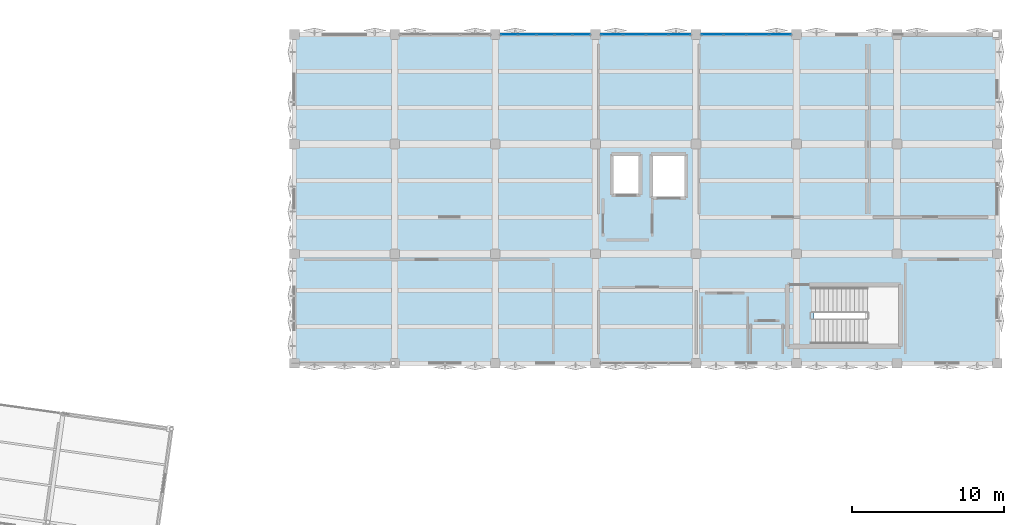
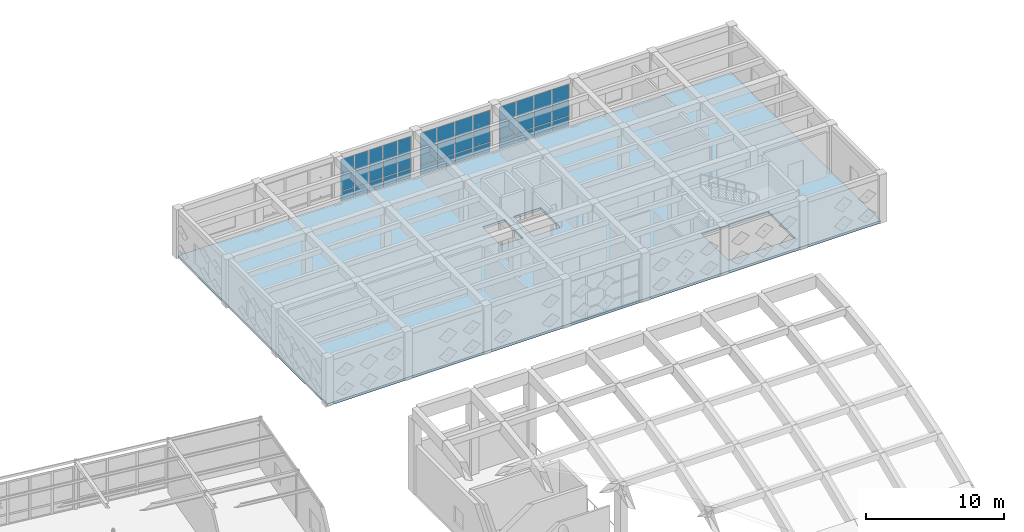
# One storey, part 47 of 67: 39 plates, 1 slab, 3 elements without a shape of their own.
"""IFC4 building model written with IfcOpenShell, lengths in metres."""

from ifc_helpers import new_model, si_unit, direction, frame, origin, origin_2d, place, context, subcontext, project, spatial, polyline, rectangle, outline, extrude, material, layer, layer_set, type_object, element, aggregate, save


model = new_model("IFC4")

# Units and contexts
model_context = context("Model", 3, precision=1e-05, world=origin(), true_north=direction((0.0, 1.0)))
body_context = subcontext(model_context, "Body", "Model", "MODEL_VIEW")
ifc_project = project(units=[si_unit("LENGTHUNIT", "METRE"), si_unit("AREAUNIT", "SQUARE_METRE"), si_unit("VOLUMEUNIT", "CUBIC_METRE"), si_unit("PLANEANGLEUNIT", "RADIAN"), si_unit("MASSUNIT", "GRAM", prefix="KILO")], contexts=[model_context])

# Site, building, storey
site_placement = place(None, origin())
site = spatial("IfcSite", under=ifc_project, at=site_placement, CompositionType="ELEMENT")
building_placement = place(site_placement, origin())
building = spatial("IfcBuilding", under=site, at=building_placement, Name="Kharisveld Research Institute", CompositionType="ELEMENT")
storey_placement = place(building_placement, frame((0.0, 0.0, 9.60009765625)))
storey = spatial("IfcBuildingStorey", under=building, at=storey_placement, Name="L02", CompositionType="ELEMENT", Elevation=9.60009765625)

# Curtain wall, plates
ifc_material_1 = material(Name="Thermally Broken Aluminium Curtain Wall", Category="aluminium")
ifc_layer_1 = layer(ifc_material_1, 0.159912109375)
ifc_layer_set_1 = layer_set([ifc_layer_1], Name="CW_SYS_01")
curtain_wall_type_1 = type_object("IfcCurtainWallType", Name="CW_SYS_01", PredefinedType="NOTDEFINED", material=ifc_layer_set_1)
curtain_wall_1_placement = place(storey_placement, origin())
curtain_wall_1 = element("IfcCurtainWall", 1, at=curtain_wall_1_placement, inside=storey, type_object=curtain_wall_type_1, Name="CW:V2:L02:N2", PredefinedType="NOTDEFINED")
ifc_material_2 = material(Name="Low-E Double Glazing", Category="glass")
ifc_layer_2 = layer(ifc_material_2, 0.028076171875)
ifc_layer_set_2 = layer_set([ifc_layer_2], Name="CW_PNL_GLZ")
plate_type = type_object("IfcPlateType", Name="CW_PNL_GLZ", PredefinedType="CURTAIN_PANEL", material=ifc_layer_set_2)
plate_1_placement = place(storey_placement, frame((128.732177734375, 60.800048828125, 0.059814453125), z_axis=(0.0, 0.0, 1.0), x_axis=(1.0, 0.0, 0.0)))
plate_1 = element("IfcPlate", 2, at=plate_1_placement, type_object=plate_type, Name="CW-01 panel 1.1", PredefinedType="CURTAIN_PANEL", context=body_context, shape_type="SweptSolid", body=[
    extrude(rectangle(XDim=1.094482421875, YDim=0.028076171875, at=origin_2d()), origin(), (0.0, 0.0, 1.0), 0.81005859375),
])
plate_2_placement = place(storey_placement, frame((128.732177734375, 60.800048828125, 0.93017578125), z_axis=(0.0, 0.0, 1.0), x_axis=(1.0, 0.0, 0.0)))
plate_2 = element("IfcPlate", 3, at=plate_2_placement, type_object=plate_type, Name="CW-01 panel 1.2", PredefinedType="CURTAIN_PANEL", context=body_context, shape_type="SweptSolid", body=[
    extrude(rectangle(XDim=1.094482421875, YDim=0.028076171875, at=origin_2d()), origin(), (0.0, 0.0, 1.0), 1.389892578125),
])
plate_3_placement = place(storey_placement, frame((128.732177734375, 60.800048828125, 2.3798828125), z_axis=(0.0, 0.0, 1.0), x_axis=(1.0, 0.0, 0.0)))
plate_3 = element("IfcPlate", 4, at=plate_3_placement, type_object=plate_type, Name="CW-01 panel 1.3", PredefinedType="CURTAIN_PANEL", context=body_context, shape_type="SweptSolid", body=[
    extrude(rectangle(XDim=1.094482421875, YDim=0.028076171875, at=origin_2d()), origin(), (0.0, 0.0, 1.0), 1.340087890625),
])
plate_4_placement = place(storey_placement, frame((129.907958984375, 60.800048828125, 0.059814453125), z_axis=(0.0, 0.0, 1.0), x_axis=(1.0, 0.0, 0.0)))
plate_4 = element("IfcPlate", 5, at=plate_4_placement, type_object=plate_type, Name="CW-01 panel 2.1", PredefinedType="CURTAIN_PANEL", context=body_context, shape_type="SweptSolid", body=[
    extrude(rectangle(XDim=1.126953125, YDim=0.028076171875, at=origin_2d()), origin(), (0.0, 0.0, 1.0), 0.81005859375),
])
plate_5_placement = place(storey_placement, frame((129.907958984375, 60.800048828125, 0.93017578125), z_axis=(0.0, 0.0, 1.0), x_axis=(1.0, 0.0, 0.0)))
plate_5 = element("IfcPlate", 6, at=plate_5_placement, type_object=plate_type, Name="CW-01 panel 2.2", PredefinedType="CURTAIN_PANEL", context=body_context, shape_type="SweptSolid", body=[
    extrude(rectangle(XDim=1.126953125, YDim=0.028076171875, at=origin_2d()), origin(), (0.0, 0.0, 1.0), 1.389892578125),
])
plate_6_placement = place(storey_placement, frame((129.907958984375, 60.800048828125, 2.3798828125), z_axis=(0.0, 0.0, 1.0), x_axis=(1.0, 0.0, 0.0)))
plate_6 = element("IfcPlate", 7, at=plate_6_placement, type_object=plate_type, Name="CW-01 panel 2.3", PredefinedType="CURTAIN_PANEL", context=body_context, shape_type="SweptSolid", body=[
    extrude(rectangle(XDim=1.126953125, YDim=0.028076171875, at=origin_2d()), origin(), (0.0, 0.0, 1.0), 1.340087890625),
])
plate_7_placement = place(storey_placement, frame((131.10009765625, 60.800048828125, 0.059814453125), z_axis=(0.0, 0.0, 1.0), x_axis=(1.0, 0.0, 0.0)))
plate_7 = element("IfcPlate", 8, at=plate_7_placement, type_object=plate_type, Name="CW-01 panel 3.1", PredefinedType="CURTAIN_PANEL", context=body_context, shape_type="SweptSolid", body=[
    extrude(rectangle(XDim=1.126953125, YDim=0.028076171875, at=origin_2d()), origin(), (0.0, 0.0, 1.0), 0.81005859375),
])
plate_8_placement = place(storey_placement, frame((131.10009765625, 60.800048828125, 0.93017578125), z_axis=(0.0, 0.0, 1.0), x_axis=(1.0, 0.0, 0.0)))
plate_8 = element("IfcPlate", 9, at=plate_8_placement, type_object=plate_type, Name="CW-01 panel 3.2", PredefinedType="CURTAIN_PANEL", context=body_context, shape_type="SweptSolid", body=[
    extrude(rectangle(XDim=1.126953125, YDim=0.028076171875, at=origin_2d()), origin(), (0.0, 0.0, 1.0), 1.389892578125),
])
plate_9_placement = place(storey_placement, frame((131.10009765625, 60.800048828125, 2.3798828125), z_axis=(0.0, 0.0, 1.0), x_axis=(1.0, 0.0, 0.0)))
plate_9 = element("IfcPlate", 10, at=plate_9_placement, type_object=plate_type, Name="CW-01 panel 3.3", PredefinedType="CURTAIN_PANEL", context=body_context, shape_type="SweptSolid", body=[
    extrude(rectangle(XDim=1.126953125, YDim=0.028076171875, at=origin_2d()), origin(), (0.0, 0.0, 1.0), 1.340087890625),
])
plate_10_placement = place(storey_placement, frame((132.2919921875, 60.800048828125, 0.059814453125), z_axis=(0.0, 0.0, 1.0), x_axis=(1.0, 0.0, 0.0)))
plate_10 = element("IfcPlate", 11, at=plate_10_placement, type_object=plate_type, Name="CW-01 panel 4.1", PredefinedType="CURTAIN_PANEL", context=body_context, shape_type="SweptSolid", body=[
    extrude(rectangle(XDim=1.126953125, YDim=0.028076171875, at=origin_2d()), origin(), (0.0, 0.0, 1.0), 0.81005859375),
])
plate_11_placement = place(storey_placement, frame((132.2919921875, 60.800048828125, 0.93017578125), z_axis=(0.0, 0.0, 1.0), x_axis=(1.0, 0.0, 0.0)))
plate_11 = element("IfcPlate", 12, at=plate_11_placement, type_object=plate_type, Name="CW-01 panel 4.2", PredefinedType="CURTAIN_PANEL", context=body_context, shape_type="SweptSolid", body=[
    extrude(rectangle(XDim=1.126953125, YDim=0.028076171875, at=origin_2d()), origin(), (0.0, 0.0, 1.0), 1.389892578125),
])
plate_12_placement = place(storey_placement, frame((132.2919921875, 60.800048828125, 2.3798828125), z_axis=(0.0, 0.0, 1.0), x_axis=(1.0, 0.0, 0.0)))
plate_12 = element("IfcPlate", 13, at=plate_12_placement, type_object=plate_type, Name="CW-01 panel 4.3", PredefinedType="CURTAIN_PANEL", context=body_context, shape_type="SweptSolid", body=[
    extrude(rectangle(XDim=1.126953125, YDim=0.028076171875, at=origin_2d()), origin(), (0.0, 0.0, 1.0), 1.340087890625),
])
plate_13_placement = place(storey_placement, frame((133.4677734375, 60.800048828125, 0.059814453125), z_axis=(0.0, 0.0, 1.0), x_axis=(1.0, 0.0, 0.0)))
plate_13 = element("IfcPlate", 14, at=plate_13_placement, type_object=plate_type, Name="CW-01 panel 5.1", PredefinedType="CURTAIN_PANEL", context=body_context, shape_type="SweptSolid", body=[
    extrude(rectangle(XDim=1.094482421875, YDim=0.028076171875, at=origin_2d()), origin(), (0.0, 0.0, 1.0), 0.81005859375),
])
plate_14_placement = place(storey_placement, frame((133.4677734375, 60.800048828125, 0.93017578125), z_axis=(0.0, 0.0, 1.0), x_axis=(1.0, 0.0, 0.0)))
plate_14 = element("IfcPlate", 15, at=plate_14_placement, type_object=plate_type, Name="CW-01 panel 5.2", PredefinedType="CURTAIN_PANEL", context=body_context, shape_type="SweptSolid", body=[
    extrude(rectangle(XDim=1.094482421875, YDim=0.028076171875, at=origin_2d()), origin(), (0.0, 0.0, 1.0), 1.389892578125),
])
plate_15_placement = place(storey_placement, frame((133.4677734375, 60.800048828125, 2.3798828125), z_axis=(0.0, 0.0, 1.0), x_axis=(1.0, 0.0, 0.0)))
plate_15 = element("IfcPlate", 16, at=plate_15_placement, type_object=plate_type, Name="CW-01 panel 5.3", PredefinedType="CURTAIN_PANEL", context=body_context, shape_type="SweptSolid", body=[
    extrude(rectangle(XDim=1.094482421875, YDim=0.028076171875, at=origin_2d()), origin(), (0.0, 0.0, 1.0), 1.340087890625),
])
aggregate(curtain_wall_1, [plate_1, plate_2, plate_3, plate_4, plate_5, plate_6, plate_7, plate_8, plate_9, plate_10, plate_11, plate_12, plate_13, plate_14, plate_15])

ifc_material_3 = material(Name="Thermally Broken Aluminium Curtain Wall", Category="aluminium")
ifc_layer_3 = layer(ifc_material_3, 0.159912109375)
ifc_layer_set_3 = layer_set([ifc_layer_3], Name="CW_SYS_02")
curtain_wall_type_2 = type_object("IfcCurtainWallType", Name="CW_SYS_02", PredefinedType="NOTDEFINED", material=ifc_layer_set_3)
curtain_wall_2_placement = place(storey_placement, origin())
curtain_wall_2 = element("IfcCurtainWall", 17, at=curtain_wall_2_placement, inside=storey, type_object=curtain_wall_type_2, Name="CW:V2:L02:N3", PredefinedType="NOTDEFINED")
plate_16_placement = place(storey_placement, frame((135.481201171875, 60.800048828125, 0.059814453125), z_axis=(0.0, 0.0, 1.0), x_axis=(1.0, 0.0, 0.0)))
plate_16 = element("IfcPlate", 18, at=plate_16_placement, type_object=plate_type, Name="CW-02 panel 1.1", PredefinedType="CURTAIN_PANEL", context=body_context, shape_type="SweptSolid", body=[
    extrude(rectangle(XDim=1.392578125, YDim=0.028076171875, at=origin_2d()), origin(), (0.0, 0.0, 1.0), 0.81005859375),
])
plate_17_placement = place(storey_placement, frame((135.481201171875, 60.800048828125, 0.93017578125), z_axis=(0.0, 0.0, 1.0), x_axis=(1.0, 0.0, 0.0)))
plate_17 = element("IfcPlate", 19, at=plate_17_placement, type_object=plate_type, Name="CW-02 panel 1.2", PredefinedType="CURTAIN_PANEL", context=body_context, shape_type="SweptSolid", body=[
    extrude(rectangle(XDim=1.392578125, YDim=0.028076171875, at=origin_2d()), origin(), (0.0, 0.0, 1.0), 1.389892578125),
])
plate_18_placement = place(storey_placement, frame((135.481201171875, 60.800048828125, 2.3798828125), z_axis=(0.0, 0.0, 1.0), x_axis=(1.0, 0.0, 0.0)))
plate_18 = element("IfcPlate", 20, at=plate_18_placement, type_object=plate_type, Name="CW-02 panel 1.3", PredefinedType="CURTAIN_PANEL", context=body_context, shape_type="SweptSolid", body=[
    extrude(rectangle(XDim=1.392578125, YDim=0.028076171875, at=origin_2d()), origin(), (0.0, 0.0, 1.0), 1.340087890625),
])
plate_19_placement = place(storey_placement, frame((136.955078125, 60.800048828125, 0.059814453125), z_axis=(0.0, 0.0, 1.0), x_axis=(1.0, 0.0, 0.0)))
plate_19 = element("IfcPlate", 21, at=plate_19_placement, type_object=plate_type, Name="CW-02 panel 2.1", PredefinedType="CURTAIN_PANEL", context=body_context, shape_type="SweptSolid", body=[
    extrude(rectangle(XDim=1.425048828125, YDim=0.028076171875, at=origin_2d()), origin(), (0.0, 0.0, 1.0), 0.81005859375),
])
plate_20_placement = place(storey_placement, frame((136.955078125, 60.800048828125, 0.93017578125), z_axis=(0.0, 0.0, 1.0), x_axis=(1.0, 0.0, 0.0)))
plate_20 = element("IfcPlate", 22, at=plate_20_placement, type_object=plate_type, Name="CW-02 panel 2.2", PredefinedType="CURTAIN_PANEL", context=body_context, shape_type="SweptSolid", body=[
    extrude(rectangle(XDim=1.425048828125, YDim=0.028076171875, at=origin_2d()), origin(), (0.0, 0.0, 1.0), 1.389892578125),
])
plate_21_placement = place(storey_placement, frame((136.955078125, 60.800048828125, 2.3798828125), z_axis=(0.0, 0.0, 1.0), x_axis=(1.0, 0.0, 0.0)))
plate_21 = element("IfcPlate", 23, at=plate_21_placement, type_object=plate_type, Name="CW-02 panel 2.3", PredefinedType="CURTAIN_PANEL", context=body_context, shape_type="SweptSolid", body=[
    extrude(rectangle(XDim=1.425048828125, YDim=0.028076171875, at=origin_2d()), origin(), (0.0, 0.0, 1.0), 1.340087890625),
])
plate_22_placement = place(storey_placement, frame((138.445068359375, 60.800048828125, 0.059814453125), z_axis=(0.0, 0.0, 1.0), x_axis=(1.0, 0.0, 0.0)))
plate_22 = element("IfcPlate", 24, at=plate_22_placement, type_object=plate_type, Name="CW-02 panel 3.1", PredefinedType="CURTAIN_PANEL", context=body_context, shape_type="SweptSolid", body=[
    extrude(rectangle(XDim=1.425048828125, YDim=0.028076171875, at=origin_2d()), origin(), (0.0, 0.0, 1.0), 0.81005859375),
])
plate_23_placement = place(storey_placement, frame((138.445068359375, 60.800048828125, 0.93017578125), z_axis=(0.0, 0.0, 1.0), x_axis=(1.0, 0.0, 0.0)))
plate_23 = element("IfcPlate", 25, at=plate_23_placement, type_object=plate_type, Name="CW-02 panel 3.2", PredefinedType="CURTAIN_PANEL", context=body_context, shape_type="SweptSolid", body=[
    extrude(rectangle(XDim=1.425048828125, YDim=0.028076171875, at=origin_2d()), origin(), (0.0, 0.0, 1.0), 1.389892578125),
])
plate_24_placement = place(storey_placement, frame((138.445068359375, 60.800048828125, 2.3798828125), z_axis=(0.0, 0.0, 1.0), x_axis=(1.0, 0.0, 0.0)))
plate_24 = element("IfcPlate", 26, at=plate_24_placement, type_object=plate_type, Name="CW-02 panel 3.3", PredefinedType="CURTAIN_PANEL", context=body_context, shape_type="SweptSolid", body=[
    extrude(rectangle(XDim=1.425048828125, YDim=0.028076171875, at=origin_2d()), origin(), (0.0, 0.0, 1.0), 1.340087890625),
])
plate_25_placement = place(storey_placement, frame((139.918701171875, 60.800048828125, 0.059814453125), z_axis=(0.0, 0.0, 1.0), x_axis=(1.0, 0.0, 0.0)))
plate_25 = element("IfcPlate", 27, at=plate_25_placement, type_object=plate_type, Name="CW-02 panel 4.1", PredefinedType="CURTAIN_PANEL", context=body_context, shape_type="SweptSolid", body=[
    extrude(rectangle(XDim=1.392578125, YDim=0.028076171875, at=origin_2d()), origin(), (0.0, 0.0, 1.0), 0.81005859375),
])
plate_26_placement = place(storey_placement, frame((139.918701171875, 60.800048828125, 0.93017578125), z_axis=(0.0, 0.0, 1.0), x_axis=(1.0, 0.0, 0.0)))
plate_26 = element("IfcPlate", 28, at=plate_26_placement, type_object=plate_type, Name="CW-02 panel 4.2", PredefinedType="CURTAIN_PANEL", context=body_context, shape_type="SweptSolid", body=[
    extrude(rectangle(XDim=1.392578125, YDim=0.028076171875, at=origin_2d()), origin(), (0.0, 0.0, 1.0), 1.389892578125),
])
plate_27_placement = place(storey_placement, frame((139.918701171875, 60.800048828125, 2.3798828125), z_axis=(0.0, 0.0, 1.0), x_axis=(1.0, 0.0, 0.0)))
plate_27 = element("IfcPlate", 29, at=plate_27_placement, type_object=plate_type, Name="CW-02 panel 4.3", PredefinedType="CURTAIN_PANEL", context=body_context, shape_type="SweptSolid", body=[
    extrude(rectangle(XDim=1.392578125, YDim=0.028076171875, at=origin_2d()), origin(), (0.0, 0.0, 1.0), 1.340087890625),
])
aggregate(curtain_wall_2, [plate_16, plate_17, plate_18, plate_19, plate_20, plate_21, plate_22, plate_23, plate_24, plate_25, plate_26, plate_27])

ifc_material_4 = material(Name="Thermally Broken Aluminium Curtain Wall", Category="aluminium")
ifc_layer_4 = layer(ifc_material_4, 0.159912109375)
ifc_layer_set_4 = layer_set([ifc_layer_4], Name="CW_SYS_03")
curtain_wall_type_3 = type_object("IfcCurtainWallType", Name="CW_SYS_03", PredefinedType="NOTDEFINED", material=ifc_layer_set_4)
curtain_wall_3_placement = place(storey_placement, origin())
curtain_wall_3 = element("IfcCurtainWall", 30, at=curtain_wall_3_placement, inside=storey, type_object=curtain_wall_type_3, Name="CW:V2:L02:N4", PredefinedType="NOTDEFINED")
plate_28_placement = place(storey_placement, frame((142.081298828125, 60.800048828125, 0.059814453125), z_axis=(0.0, 0.0, 1.0), x_axis=(1.0, 0.0, 0.0)))
plate_28 = element("IfcPlate", 31, at=plate_28_placement, type_object=plate_type, Name="CW-03 panel 1.1", PredefinedType="CURTAIN_PANEL", context=body_context, shape_type="SweptSolid", body=[
    extrude(rectangle(XDim=1.392578125, YDim=0.028076171875, at=origin_2d()), origin(), (0.0, 0.0, 1.0), 0.81005859375),
])
plate_29_placement = place(storey_placement, frame((142.081298828125, 60.800048828125, 0.93017578125), z_axis=(0.0, 0.0, 1.0), x_axis=(1.0, 0.0, 0.0)))
plate_29 = element("IfcPlate", 32, at=plate_29_placement, type_object=plate_type, Name="CW-03 panel 1.2", PredefinedType="CURTAIN_PANEL", context=body_context, shape_type="SweptSolid", body=[
    extrude(rectangle(XDim=1.392578125, YDim=0.028076171875, at=origin_2d()), origin(), (0.0, 0.0, 1.0), 1.389892578125),
])
plate_30_placement = place(storey_placement, frame((142.081298828125, 60.800048828125, 2.3798828125), z_axis=(0.0, 0.0, 1.0), x_axis=(1.0, 0.0, 0.0)))
plate_30 = element("IfcPlate", 33, at=plate_30_placement, type_object=plate_type, Name="CW-03 panel 1.3", PredefinedType="CURTAIN_PANEL", context=body_context, shape_type="SweptSolid", body=[
    extrude(rectangle(XDim=1.392578125, YDim=0.028076171875, at=origin_2d()), origin(), (0.0, 0.0, 1.0), 1.340087890625),
])
plate_31_placement = place(storey_placement, frame((143.554931640625, 60.800048828125, 0.059814453125), z_axis=(0.0, 0.0, 1.0), x_axis=(1.0, 0.0, 0.0)))
plate_31 = element("IfcPlate", 34, at=plate_31_placement, type_object=plate_type, Name="CW-03 panel 2.1", PredefinedType="CURTAIN_PANEL", context=body_context, shape_type="SweptSolid", body=[
    extrude(rectangle(XDim=1.425048828125, YDim=0.028076171875, at=origin_2d()), origin(), (0.0, 0.0, 1.0), 0.81005859375),
])
plate_32_placement = place(storey_placement, frame((143.554931640625, 60.800048828125, 0.93017578125), z_axis=(0.0, 0.0, 1.0), x_axis=(1.0, 0.0, 0.0)))
plate_32 = element("IfcPlate", 35, at=plate_32_placement, type_object=plate_type, Name="CW-03 panel 2.2", PredefinedType="CURTAIN_PANEL", context=body_context, shape_type="SweptSolid", body=[
    extrude(rectangle(XDim=1.425048828125, YDim=0.028076171875, at=origin_2d()), origin(), (0.0, 0.0, 1.0), 1.389892578125),
])
plate_33_placement = place(storey_placement, frame((143.554931640625, 60.800048828125, 2.3798828125), z_axis=(0.0, 0.0, 1.0), x_axis=(1.0, 0.0, 0.0)))
plate_33 = element("IfcPlate", 36, at=plate_33_placement, type_object=plate_type, Name="CW-03 panel 2.3", PredefinedType="CURTAIN_PANEL", context=body_context, shape_type="SweptSolid", body=[
    extrude(rectangle(XDim=1.425048828125, YDim=0.028076171875, at=origin_2d()), origin(), (0.0, 0.0, 1.0), 1.340087890625),
])
plate_34_placement = place(storey_placement, frame((145.044921875, 60.800048828125, 0.059814453125), z_axis=(0.0, 0.0, 1.0), x_axis=(1.0, 0.0, 0.0)))
plate_34 = element("IfcPlate", 37, at=plate_34_placement, type_object=plate_type, Name="CW-03 panel 3.1", PredefinedType="CURTAIN_PANEL", context=body_context, shape_type="SweptSolid", body=[
    extrude(rectangle(XDim=1.425048828125, YDim=0.028076171875, at=origin_2d()), origin(), (0.0, 0.0, 1.0), 0.81005859375),
])
plate_35_placement = place(storey_placement, frame((145.044921875, 60.800048828125, 0.93017578125), z_axis=(0.0, 0.0, 1.0), x_axis=(1.0, 0.0, 0.0)))
plate_35 = element("IfcPlate", 38, at=plate_35_placement, type_object=plate_type, Name="CW-03 panel 3.2", PredefinedType="CURTAIN_PANEL", context=body_context, shape_type="SweptSolid", body=[
    extrude(rectangle(XDim=1.425048828125, YDim=0.028076171875, at=origin_2d()), origin(), (0.0, 0.0, 1.0), 1.389892578125),
])
plate_36_placement = place(storey_placement, frame((145.044921875, 60.800048828125, 2.3798828125), z_axis=(0.0, 0.0, 1.0), x_axis=(1.0, 0.0, 0.0)))
plate_36 = element("IfcPlate", 39, at=plate_36_placement, type_object=plate_type, Name="CW-03 panel 3.3", PredefinedType="CURTAIN_PANEL", context=body_context, shape_type="SweptSolid", body=[
    extrude(rectangle(XDim=1.425048828125, YDim=0.028076171875, at=origin_2d()), origin(), (0.0, 0.0, 1.0), 1.340087890625),
])
plate_37_placement = place(storey_placement, frame((146.518798828125, 60.800048828125, 0.059814453125), z_axis=(0.0, 0.0, 1.0), x_axis=(1.0, 0.0, 0.0)))
plate_37 = element("IfcPlate", 40, at=plate_37_placement, type_object=plate_type, Name="CW-03 panel 4.1", PredefinedType="CURTAIN_PANEL", context=body_context, shape_type="SweptSolid", body=[
    extrude(rectangle(XDim=1.392578125, YDim=0.028076171875, at=origin_2d()), origin(), (0.0, 0.0, 1.0), 0.81005859375),
])
plate_38_placement = place(storey_placement, frame((146.518798828125, 60.800048828125, 0.93017578125), z_axis=(0.0, 0.0, 1.0), x_axis=(1.0, 0.0, 0.0)))
plate_38 = element("IfcPlate", 41, at=plate_38_placement, type_object=plate_type, Name="CW-03 panel 4.2", PredefinedType="CURTAIN_PANEL", context=body_context, shape_type="SweptSolid", body=[
    extrude(rectangle(XDim=1.392578125, YDim=0.028076171875, at=origin_2d()), origin(), (0.0, 0.0, 1.0), 1.389892578125),
])
plate_39_placement = place(storey_placement, frame((146.518798828125, 60.800048828125, 2.3798828125), z_axis=(0.0, 0.0, 1.0), x_axis=(1.0, 0.0, 0.0)))
plate_39 = element("IfcPlate", 42, at=plate_39_placement, type_object=plate_type, Name="CW-03 panel 4.3", PredefinedType="CURTAIN_PANEL", context=body_context, shape_type="SweptSolid", body=[
    extrude(rectangle(XDim=1.392578125, YDim=0.028076171875, at=origin_2d()), origin(), (0.0, 0.0, 1.0), 1.340087890625),
])
aggregate(curtain_wall_3, [plate_28, plate_29, plate_30, plate_31, plate_32, plate_33, plate_34, plate_35, plate_36, plate_37, plate_38, plate_39])

# Slab
ifc_material_5 = material(Name="Concrete C40/50", Category="concrete")
ifc_layer_5 = layer(ifc_material_5, 0.2099609375)
ifc_layer_set_5 = layer_set([ifc_layer_5], Name="SL_FLR_210")
slab_type = type_object("IfcSlabType", Name="SL_FLR_210", PredefinedType="FLOOR", material=ifc_layer_set_5)
slab_placement = place(storey_placement, frame((0.0, 0.0, -0.210205078125)))
element("IfcSlab", 43, at=slab_placement, inside=storey, type_object=slab_type, Name="SLAB:V2:L02:MAIN", PredefinedType="FLOOR", context=body_context, shape_type="SweptSolid", body=[
    extrude(outline(polyline([(114.60009765625, 39.199951171875), (160.800048828125, 39.199951171875), (160.800048828125, 60.800048828125), (114.60009765625, 60.800048828125), (114.60009765625, 39.199951171875)]), holes=[polyline([(154.35009765625, 44.260009765625), (154.35009765625, 40.39990234375), (148.75, 40.39990234375), (148.75, 44.260009765625), (154.35009765625, 44.260009765625)]), polyline([(140.320068359375, 50.080078125), (138.080078125, 50.080078125), (138.080078125, 52.919921875), (140.320068359375, 52.919921875), (140.320068359375, 50.080078125)]), polyline([(137.320068359375, 50.280029296875), (135.47998046875, 50.280029296875), (135.47998046875, 52.919921875), (137.320068359375, 52.919921875), (137.320068359375, 50.280029296875)])]), origin(), (0.0, 0.0, 1.0), 0.210205078125),
])

save(model, "model.ifc")
